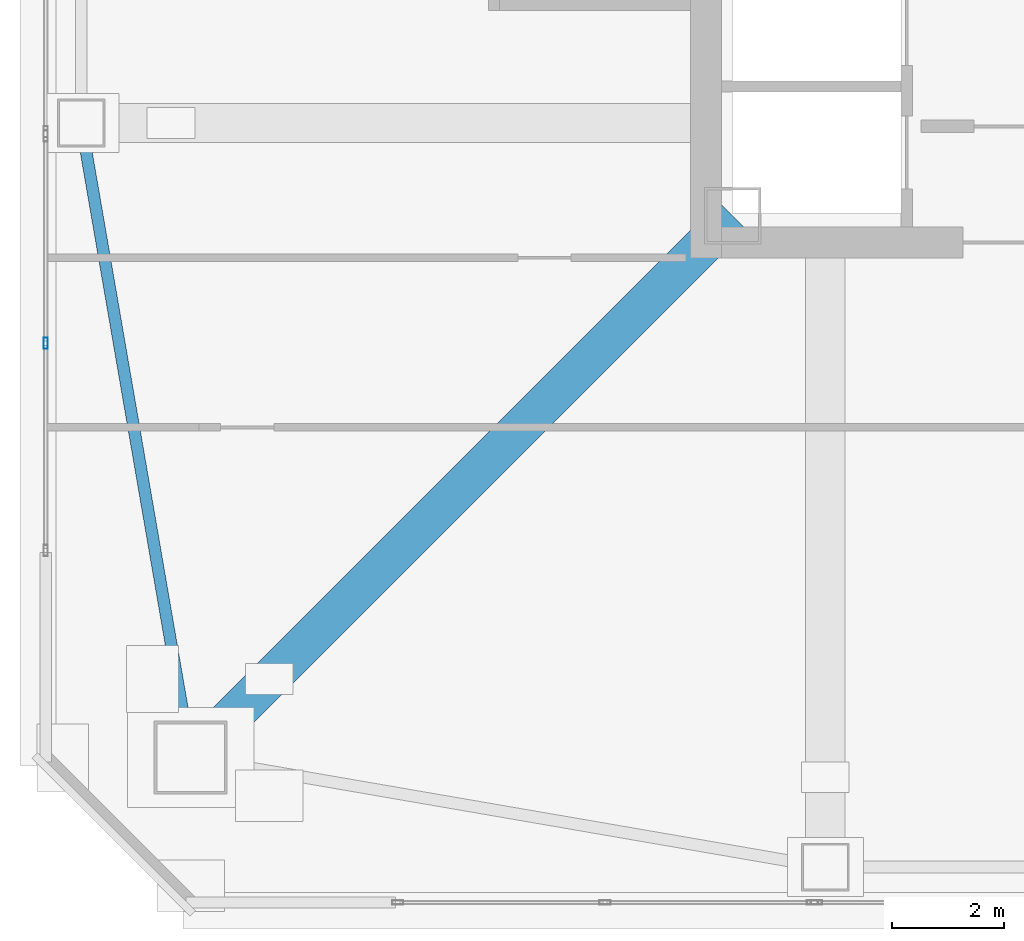
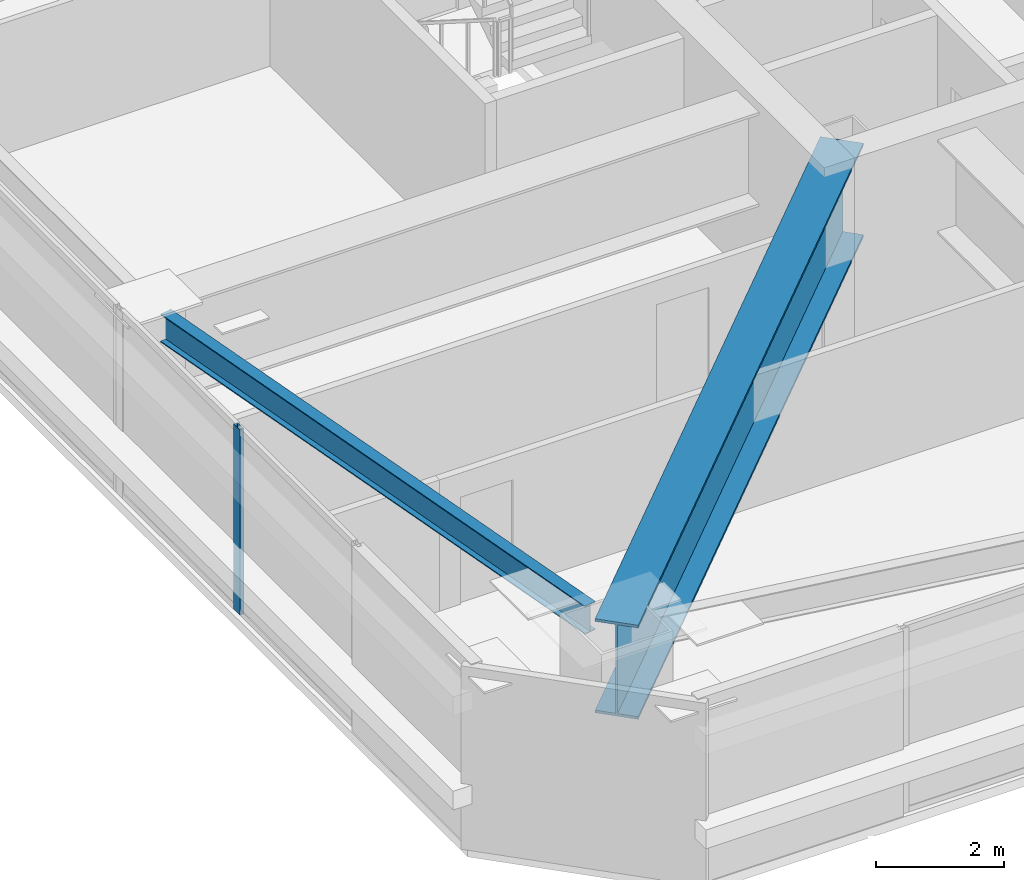
# One storey, part 4 of 42: 2 beams, 1 member, 1 element without a shape of its own.
"""IFC4 building model written with IfcOpenShell, lengths in metres."""

from ifc_helpers import new_model, si_unit, direction, frame, origin, origin_2d, place, context, subcontext, project, spatial, hollow_rectangle, i_section, extrude, material, material_profile, profile_set, type_object, element, aggregate, save


model = new_model("IFC4")

# Units and contexts
model_context = context("Model", 3, precision=1e-05, world=origin(), true_north=direction((0.0, 1.0)))
body_context = subcontext(model_context, "Body", "Model", "MODEL_VIEW")
ifc_project = project(units=[si_unit("LENGTHUNIT", "METRE"), si_unit("AREAUNIT", "SQUARE_METRE"), si_unit("VOLUMEUNIT", "CUBIC_METRE"), si_unit("PLANEANGLEUNIT", "RADIAN"), si_unit("MASSUNIT", "GRAM", prefix="KILO")], contexts=[model_context])

# Site, building, storey
site_placement = place(None, origin())
site = spatial("IfcSite", under=ifc_project, at=site_placement, CompositionType="ELEMENT")
building_placement = place(site_placement, origin())
building = spatial("IfcBuilding", under=site, at=building_placement, Name="Tashvorn Skyway Center", CompositionType="ELEMENT")
storey_placement = place(building_placement, frame((0.0, 0.0, 153.449951171875)))
storey = spatial("IfcBuildingStorey", under=building, at=storey_placement, Name="L41", CompositionType="ELEMENT", Elevation=153.449951171875)

# Beams
ifc_material_1 = material(Name="Steel ASTM A572 Grade 50", Category="steel")
ifc_material_profile_1 = material_profile(ifc_material_1, i_section(OverallWidth=0.699951171875, OverallDepth=1.800048828125, WebThickness=0.031982421875, FlangeThickness=0.050048828125, at=origin_2d()), Name="PG1800x700")
ifc_profile_set_1 = profile_set([ifc_material_profile_1], Name="Steel ASTM A572 Grade 50")
beam_type_1 = type_object("IfcBeamType", Name="BM-BEAM-PG1800x700", PredefinedType="BEAM", material=ifc_profile_set_1)
beam_1_placement = place(storey_placement, frame((25.300048828125, 15.300048828125, 2.469970703125), z_axis=(0.707106781187, 0.707106781187, 0.0), x_axis=(-0.707106781187, 0.707106781187, 0.0)))
element("IfcBeam", 1, at=beam_1_placement, inside=storey, type_object=beam_type_1, Name="Tower 1 L41 Setback Transfer Girder MC-SW", PredefinedType="BEAM", context=body_context, shape_type="SweptSolid", body=[
    extrude(i_section(OverallWidth=0.699951171875, OverallDepth=1.800048828125, WebThickness=0.031982421875, FlangeThickness=0.050048828125, at=origin_2d()), origin(), (0.0, 0.0, 1.0), 13.64697265625),
])
ifc_material_2 = material(Name="Steel ASTM A992 Grade 50", Category="steel")
ifc_material_profile_2 = material_profile(ifc_material_2, i_section(OverallWidth=0.2109375, OverallDepth=0.5390625, WebThickness=0.01171875, FlangeThickness=0.018798828125, at=origin_2d()), Name="W21X73")
ifc_profile_set_2 = profile_set([ifc_material_profile_2], Name="Steel ASTM A992 Grade 50")
beam_type_2 = type_object("IfcBeamType", Name="BM-SPANDREL-W21X73", PredefinedType="SPANDREL", material=ifc_profile_set_2)
beam_2_placement = place(storey_placement, frame((23.42138671875, 26.18603515625, 3.1005859375), z_axis=(0.170067250846, -0.985432458462, 0.0), x_axis=(0.985432458462, 0.170067250846, 0.0)))
element("IfcBeam", 2, at=beam_2_placement, inside=storey, type_object=beam_type_2, Name="Tower 1 L41 Spandrel Beam 12", PredefinedType="SPANDREL", context=body_context, shape_type="SweptSolid", body=[
    extrude(i_section(OverallWidth=0.2109375, OverallDepth=0.5390625, WebThickness=0.01171875, FlangeThickness=0.018798828125, at=origin_2d()), origin(), (0.0, 0.0, 1.0), 10.402099609375),
])

# Curtain wall, member
ifc_material_3 = material(Name="Thermally broken bronze-anodized aluminium 6063-T6", Category="aluminium")
curtain_wall_type = type_object("IfcCurtainWallType", Name="CW-CW-Z3", PredefinedType="NOTDEFINED", material=ifc_material_3)
curtain_wall_placement = place(storey_placement, origin())
curtain_wall = element("IfcCurtainWall", 3, at=curtain_wall_placement, inside=storey, type_object=curtain_wall_type, Name="Tower 1 L41 West Unitised Curtain Wall Glazing Group 1", PredefinedType="NOTDEFINED")
ifc_material_profile_3 = material_profile(ifc_material_3, hollow_rectangle(XDim=0.074951171875, YDim=0.199951171875, WallThickness=0.00439453125, at=origin_2d()), Name="ALU-MULL-75x200")
ifc_profile_set_3 = profile_set([ifc_material_profile_3], Name="Thermally broken bronze-anodized aluminium 6063-T6")
member_type = type_object("IfcMemberType", Name="CWM-CW-Z3", PredefinedType="MULLION", material=ifc_profile_set_3)
member_placement = place(storey_placement, frame((22.719970703125, 22.677734375, 0.0), z_axis=(0.0, 0.0, 1.0), x_axis=(-1.0, 0.0, 0.0)))
member = element("IfcMember", 4, at=member_placement, type_object=member_type, Name="CW-Z3 mullion 2", PredefinedType="MULLION", context=body_context, shape_type="SweptSolid", body=[
    extrude(hollow_rectangle(XDim=0.074951171875, YDim=0.199951171875, WallThickness=0.00439453125, at=origin_2d()), origin(), (0.0, 0.0, 1.0), 3.550048828125),
])
aggregate(curtain_wall, [member])

save(model, "model.ifc")
